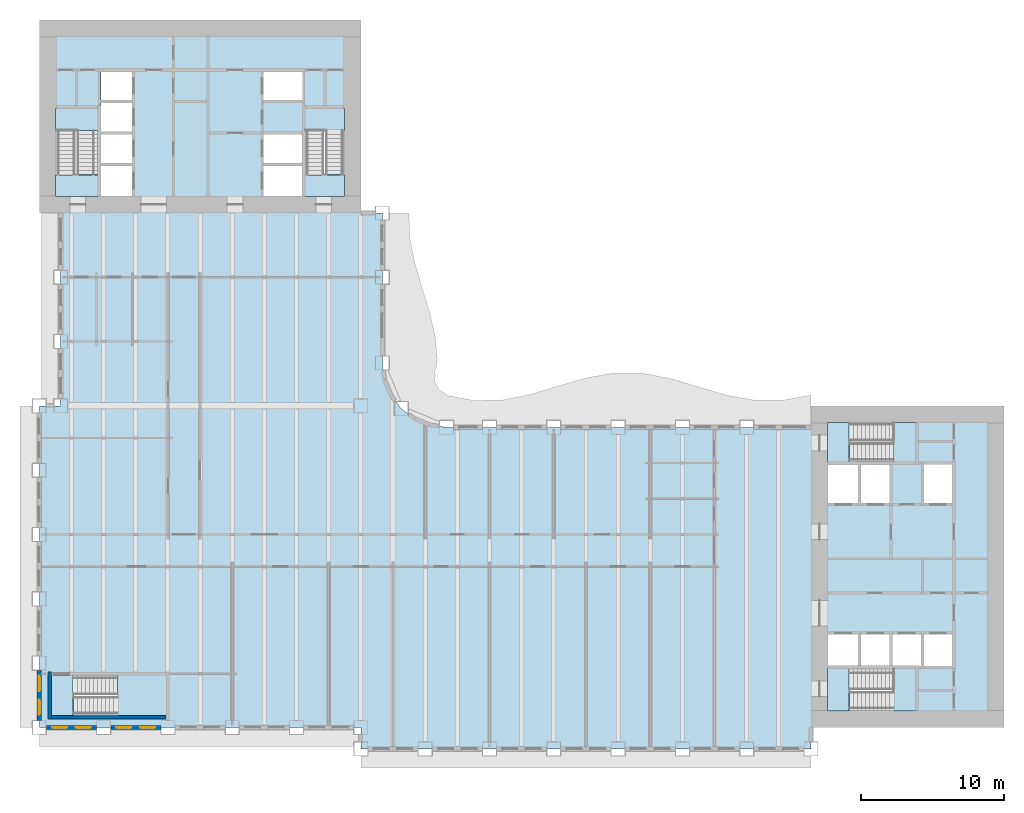
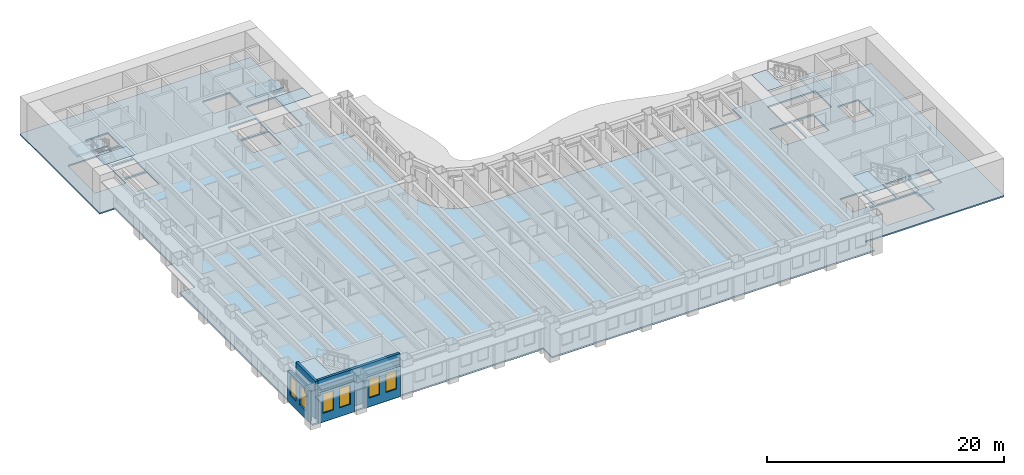
# One storey, part 2 of 16: 11 slabs, 6 windows, 5 walls, 6 openings, 5 elements without a shape of their own.
"""IFC4 building model written with IfcOpenShell, lengths in metres."""

import ifcopenshell
import ifcopenshell.guid

model = None  # the IFC model being written
_history = None  # IfcOwnerHistory: only IFC2X3 demands one
_inside = {}  # id of a spatial element -> (the spatial element, [elements in it])
_under = {}  # id of a project, library or spatial element -> (it, [spatial elements below it])
_declared = {}  # id of a project -> (the project, [libraries it declares])
_typed = {}  # id of a type object -> (the type object, [elements of that type])
_made_of = {}  # id of a material, layer set ... -> (it, [elements and type objects made of it])


def new_model(schema):
    """Start an empty IFC model of exactly this schema.

    Asked for "IFC4X3", IfcOpenShell would pick the latest addendum, in which some entities
    have other attributes; the version numbers below select the first issue.
    IFC2X3 requires an IfcOwnerHistory on every rooted entity: one is made here for all.
    """
    global model, _history
    if schema == "IFC4X3":
        model = ifcopenshell.file(schema_version=(4, 3, 0, 0))
    else:
        model = ifcopenshell.file(schema=schema)
    _inside.clear()
    _under.clear()
    _declared.clear()
    _typed.clear()
    _made_of.clear()
    _history = None
    if model.schema == "IFC2X3":
        org = make("IfcOrganization", Name="unknown")
        user = make(
            "IfcPersonAndOrganization",
            ThePerson=make("IfcPerson", FamilyName="unknown"),
            TheOrganization=org,
        )
        app = make(
            "IfcApplication",
            ApplicationDeveloper=org,
            Version="unknown",
            ApplicationFullName="unknown",
            ApplicationIdentifier="unknown",
        )
        _history = make(
            "IfcOwnerHistory",
            OwningUser=user,
            OwningApplication=app,
            ChangeAction="ADDED",
            CreationDate=0,
        )
    return model


def make(cls, **values):
    """One entity of the class cls with the attributes given. An attribute that is None is left unset."""
    return model.create_entity(
        cls, **{name: value for name, value in values.items() if value is not None}
    )


def rooted(cls, **values):
    """An entity with a GlobalId (a new one), such as an element, a storey or a relation."""
    return make(cls, GlobalId=ifcopenshell.guid.new(), OwnerHistory=_history, **values)


def si_unit(unit_type, name, prefix=None):
    """IfcSIUnit, for example si_unit("LENGTHUNIT", "METRE", prefix="MILLI")."""
    return make("IfcSIUnit", UnitType=unit_type, Prefix=prefix, Name=name)


def assignment(units):
    """IfcUnitAssignment: the units of a project."""
    return None if units is None else make("IfcUnitAssignment", Units=units)


def point(xyz):
    """IfcCartesianPoint."""
    return None if xyz is None else make("IfcCartesianPoint", Coordinates=xyz)


def direction(xyz):
    """IfcDirection."""
    return None if xyz is None else make("IfcDirection", DirectionRatios=xyz)


def frame(location, z_axis=None, x_axis=None):
    """IfcAxis2Placement3D, a coordinate frame: its origin and axes. An axis left out is left unset."""
    return make(
        "IfcAxis2Placement3D",
        Location=point(location),
        Axis=direction(z_axis),
        RefDirection=direction(x_axis),
    )


def frame_2d(location, x_axis=None):
    """IfcAxis2Placement2D, a coordinate frame in the plane: its origin and x axis."""
    return make(
        "IfcAxis2Placement2D", Location=point(location), RefDirection=direction(x_axis)
    )


def origin():
    """The frame at (0, 0, 0) with its axes left unset."""
    return frame((0.0, 0.0, 0.0))


def place(relative_to, where):
    """IfcLocalPlacement: puts the frame where relative to a parent placement (None: the world)."""
    return make(
        "IfcLocalPlacement", PlacementRelTo=relative_to, RelativePlacement=where
    )


def context(
    kind, dimensions, precision=None, world=None, true_north=None, identifier=None
):
    """IfcGeometricRepresentationContext, for example the 3D "Model" context."""
    return make(
        "IfcGeometricRepresentationContext",
        ContextIdentifier=identifier,
        ContextType=kind,
        CoordinateSpaceDimension=dimensions,
        Precision=precision,
        WorldCoordinateSystem=world,
        TrueNorth=true_north,
    )


def subcontext(parent, identifier, kind, view, scale=None):
    """IfcGeometricRepresentationSubContext, for example "Body" below "Model"."""
    return make(
        "IfcGeometricRepresentationSubContext",
        ContextIdentifier=identifier,
        ContextType=kind,
        ParentContext=parent,
        TargetScale=scale,
        TargetView=view,
    )


def project(units=None, contexts=None):
    """IfcProject with its units and contexts."""
    return rooted(
        "IfcProject",
        Name="project",
        RepresentationContexts=contexts,
        UnitsInContext=assignment(units),
    )


def spatial(cls, under=None, at=None, **own):
    """A site, building, storey or space (cls), placed at a placement, below another one or the project."""
    s = rooted(cls, ObjectPlacement=at, **own)
    if under is not None:
        _under.setdefault(under.id(), (under, []))[1].append(s)
    return s


def polyline(points):
    """IfcPolyline through the points."""
    return make("IfcPolyline", Points=[point(p) for p in points])


def profile(cls, at=None, kind="AREA", **sizes):
    """A parametric profile (cls). Its sizes go by their IFC names, for example OverallWidth=200.0."""
    return make(cls, ProfileType=kind, Position=at, **sizes)


def rectangle(**sizes):
    """IfcRectangleProfileDef."""
    return profile("IfcRectangleProfileDef", **sizes)


def outline(outer, holes=None, kind="AREA"):
    """IfcArbitraryClosedProfileDef: a profile drawn as a closed curve; with holes, ...WithVoids."""
    if holes is None:
        return make("IfcArbitraryClosedProfileDef", ProfileType=kind, OuterCurve=outer)
    return make(
        "IfcArbitraryProfileDefWithVoids",
        ProfileType=kind,
        OuterCurve=outer,
        InnerCurves=holes,
    )


def extrude(swept, where, along, depth):
    """IfcExtrudedAreaSolid: the profile swept, set in the frame where, extruded along a direction by depth."""
    return make(
        "IfcExtrudedAreaSolid",
        SweptArea=swept,
        Position=where,
        ExtrudedDirection=direction(along),
        Depth=depth,
    )


def shape(context_of_items, identifier, shape_type, items):
    """IfcShapeRepresentation: the items that make up one representation, for example the "Body"."""
    return make(
        "IfcShapeRepresentation",
        ContextOfItems=context_of_items,
        RepresentationIdentifier=identifier,
        RepresentationType=shape_type,
        Items=items,
    )


def material(Name=None, Category=None):
    """IfcMaterial."""
    return make("IfcMaterial", Name=Name, Category=Category)


def layer(
    of_material, thickness, ventilated=None, Name=None, Category=None, Priority=None
):
    """IfcMaterialLayer: one layer of a wall or slab, of a material (None: an air gap)."""
    return make(
        "IfcMaterialLayer",
        Material=of_material,
        LayerThickness=thickness,
        IsVentilated=ventilated,
        Name=Name,
        Category=Category,
        Priority=Priority,
    )


def layer_set(layers, Name=None):
    """IfcMaterialLayerSet."""
    return make("IfcMaterialLayerSet", MaterialLayers=layers, LayerSetName=Name)


def made_of(thing, what):
    """Note that an element or type object is made of a material, layer set ...; save() writes the relation."""
    if what is not None:
        _made_of.setdefault(what.id(), (what, []))[1].append(thing)
    return thing


def type_object(cls, material=None, **own):
    """A type object (cls), such as IfcWallType, which elements share."""
    return made_of(rooted(cls, **own), material)


def element(
    cls,
    number,
    at=None,
    inside=None,
    cuts=None,
    type_object=None,
    material=None,
    context=None,
    identifier="Body",
    shape_type=None,
    held_by="IfcProductDefinitionShape",
    body=None,
    shapes=None,
    **own,
):
    """One element of the class cls, such as IfcWall. Its Tag is "e" and its number.

    at: its placement. inside: the storey or other place that contains it. cuts: it is an
    opening in that element (IfcRelVoidsElement). A single representation is given by context,
    identifier, shape_type and body (its items); several are given by shapes. held_by: the class
    of the entity that holds the representations. save() writes the other relations.
    """
    e = rooted(cls, Tag="e%d" % number, ObjectPlacement=at, **own)
    if body is not None:
        shapes = [shape(context, identifier, shape_type, body)]
    if shapes is not None:
        e.Representation = make(held_by, Representations=shapes)
    if inside is not None:
        _inside.setdefault(inside.id(), (inside, []))[1].append(e)
    if cuts is not None:
        rooted(
            "IfcRelVoidsElement", RelatingBuildingElement=cuts, RelatedOpeningElement=e
        )
    if type_object is not None:
        _typed.setdefault(type_object.id(), (type_object, []))[1].append(e)
    return made_of(e, material)


def fill(opening, filler):
    """IfcRelFillsElement: the door or window that sits in an opening."""
    return rooted(
        "IfcRelFillsElement",
        RelatingOpeningElement=opening,
        RelatedBuildingElement=filler,
    )


def aggregate(whole, parts):
    """IfcRelAggregates: a whole, such as a stair, and the parts it consists of."""
    return rooted("IfcRelAggregates", RelatingObject=whole, RelatedObjects=parts)


def save(model, path):
    """Write the relations noted so far, then the file.

    IfcRelAggregates (storeys below a building ...), IfcRelContainedInSpatialStructure (elements
    in a storey), IfcRelDefinesByType, IfcRelAssociatesMaterial and IfcRelDeclares: one each for
    every whole, place, type object, material and project.
    """
    for whole, parts in _under.values():
        aggregate(whole, parts)
    for where, things in _inside.values():
        rooted(
            "IfcRelContainedInSpatialStructure",
            RelatedElements=things,
            RelatingStructure=where,
        )
    for kind, things in _typed.values():
        rooted("IfcRelDefinesByType", RelatedObjects=things, RelatingType=kind)
    for what, things in _made_of.values():
        rooted("IfcRelAssociatesMaterial", RelatedObjects=things, RelatingMaterial=what)
    for by, libraries in _declared.values():
        rooted("IfcRelDeclares", RelatingContext=by, RelatedDefinitions=libraries)
    model.write(path)


model = new_model("IFC4")

# Units and contexts
model_context = context("Model", 3, precision=1e-05, world=origin(), true_north=direction((0.0, 1.0)))
body_context = subcontext(model_context, "Body", "Model", "MODEL_VIEW")
ifc_project = project(units=[si_unit("LENGTHUNIT", "METRE"), si_unit("AREAUNIT", "SQUARE_METRE"), si_unit("VOLUMEUNIT", "CUBIC_METRE"), si_unit("PLANEANGLEUNIT", "RADIAN"), si_unit("MASSUNIT", "GRAM", prefix="KILO")], contexts=[model_context])

# Site, building, storey
site_placement = place(None, origin())
site = spatial("IfcSite", under=ifc_project, at=site_placement, CompositionType="ELEMENT")
building_placement = place(site_placement, origin())
building = spatial("IfcBuilding", under=site, at=building_placement, Name="Sennacour Bend Tower", CompositionType="ELEMENT")
storey_placement = place(building_placement, frame((0.0, 0.0, 123.0)))
storey = spatial("IfcBuildingStorey", under=building, at=storey_placement, Name="L28", CompositionType="ELEMENT", Elevation=123.0)

# Slabs
ifc_material_1 = material(Name="Concrete C30/37", Category="concrete")
ifc_layer_1 = layer(ifc_material_1, 0.14990234375, Name="Concrete C30/37", Category="concrete")
ifc_layer_set_1 = layer_set([ifc_layer_1], Name="Concrete C30/37")
slab_type_1 = type_object("IfcSlabType", Name="Floor slab 150", PredefinedType="FLOOR", material=ifc_layer_set_1)
slab_1_placement = place(storey_placement, frame((0.0, 0.0, -0.14990234375)))
element("IfcSlab", 1, at=slab_1_placement, inside=storey, type_object=slab_type_1, Name="Floor slab L28-01", PredefinedType="FLOOR", context=body_context, shape_type="SweptSolid", body=[
    extrude(outline(polyline([(22.5, 0.0), (0.0, 0.0), (0.0, 22.5), (1.5, 22.5), (1.5, 36.0), (0.0, 36.0), (0.0, 49.5), (22.5, 49.5), (22.5, 36.0), (24.0, 36.0), (24.0, 25.5), (24.1533203125, 24.335205078125), (24.602783203125, 23.25), (25.318115234375, 22.318115234375), (26.25, 21.602783203125), (27.335205078125, 21.1533203125), (28.5, 21.0), (54.0, 21.0), (54.0, 22.5), (67.5, 22.5), (67.5, 0.0), (54.0, 0.0), (54.0, -1.5), (22.5, -1.5), (22.5, 0.0)]), holes=[polyline([(8.800048828125, 0.949951171875), (8.800048828125, 3.5), (2.429931640625, 3.5), (2.429931640625, 0.949951171875), (8.800048828125, 0.949951171875)]), polyline([(6.5, 37.199951171875), (6.5, 39.300048828125), (4.300048828125, 39.300048828125), (4.300048828125, 37.199951171875), (6.5, 37.199951171875)]), polyline([(18.39990234375, 37.199951171875), (18.39990234375, 39.300048828125), (15.699951171875, 39.300048828125), (15.699951171875, 37.199951171875), (18.39990234375, 37.199951171875)]), polyline([(6.5, 39.5), (6.5, 41.5), (4.300048828125, 41.5), (4.300048828125, 39.5), (6.5, 39.5)]), polyline([(18.39990234375, 39.5), (18.39990234375, 41.5), (15.699951171875, 41.5), (15.699951171875, 39.5), (18.39990234375, 39.5)]), polyline([(4.125, 38.72998046875), (4.125, 43.39990234375), (1.14990234375, 43.39990234375), (1.14990234375, 38.72998046875), (4.125, 38.72998046875)]), polyline([(21.35009765625, 38.72998046875), (21.35009765625, 43.39990234375), (18.574951171875, 43.39990234375), (18.574951171875, 38.72998046875), (21.35009765625, 38.72998046875)]), polyline([(4.300048828125, 41.699951171875), (6.5, 41.699951171875), (6.5, 43.699951171875), (4.300048828125, 43.699951171875), (4.300048828125, 41.699951171875)]), polyline([(4.300048828125, 43.89990234375), (6.5, 43.89990234375), (6.5, 45.89990234375), (4.300048828125, 45.89990234375), (4.300048828125, 43.89990234375)]), polyline([(18.39990234375, 43.89990234375), (18.39990234375, 45.89990234375), (15.699951171875, 45.89990234375), (15.699951171875, 43.89990234375), (18.39990234375, 43.89990234375)]), polyline([(61.39990234375, 1.14990234375), (61.39990234375, 4.125), (56.72998046875, 4.125), (56.72998046875, 1.14990234375), (61.39990234375, 1.14990234375)]), polyline([(57.300048828125, 4.300048828125), (57.300048828125, 6.5), (55.199951171875, 6.5), (55.199951171875, 4.300048828125), (57.300048828125, 4.300048828125)]), polyline([(57.5, 4.300048828125), (59.5, 4.300048828125), (59.5, 6.5), (57.5, 6.5), (57.5, 4.300048828125)]), polyline([(59.699951171875, 4.300048828125), (61.699951171875, 4.300048828125), (61.699951171875, 6.5), (59.699951171875, 6.5), (59.699951171875, 4.300048828125)]), polyline([(63.89990234375, 4.300048828125), (63.89990234375, 6.5), (61.89990234375, 6.5), (61.89990234375, 4.300048828125), (63.89990234375, 4.300048828125)]), polyline([(57.300048828125, 15.699951171875), (57.300048828125, 18.39990234375), (55.199951171875, 18.39990234375), (55.199951171875, 15.699951171875), (57.300048828125, 15.699951171875)]), polyline([(59.5, 15.699951171875), (59.5, 18.39990234375), (57.5, 18.39990234375), (57.5, 15.699951171875), (59.5, 15.699951171875)]), polyline([(61.89990234375, 15.699951171875), (63.89990234375, 15.699951171875), (63.89990234375, 18.39990234375), (61.89990234375, 18.39990234375), (61.89990234375, 15.699951171875)]), polyline([(56.72998046875, 18.574951171875), (61.39990234375, 18.574951171875), (61.39990234375, 21.35009765625), (56.72998046875, 21.35009765625), (56.72998046875, 18.574951171875)])]), origin(), (0.0, 0.0, 1.0), 0.14990234375),
])
ifc_material_2 = material(Name="Concrete C40/50", Category="concrete")
ifc_layer_2 = layer(ifc_material_2, 0.034912109375, Name="Concrete C40/50", Category="concrete")
ifc_layer_set_2 = layer_set([ifc_layer_2], Name="Concrete C40/50")
slab_type_2 = type_object("IfcSlabType", Name="Stair arrival nib 35", PredefinedType="FLOOR", material=ifc_layer_set_2)
slab_2_placement = place(storey_placement, frame((0.0, 0.0, 3.815185546875)))
element("IfcSlab", 2, at=slab_2_placement, inside=storey, type_object=slab_type_2, Name="L28 SA1 stair arrival nib", PredefinedType="FLOOR", context=body_context, shape_type="SweptSolid", body=[
    extrude(outline(polyline([(56.64208984375, 4.125), (55.14990234375, 4.125), (55.14990234375, 1.14990234375), (56.64208984375, 1.14990234375), (56.64208984375, 4.125)])), origin(), (0.0, 0.0, 1.0), 0.034912109375),
])
slab_3_placement = place(storey_placement, frame((0.0, 0.0, 3.815185546875)))
element("IfcSlab", 3, at=slab_3_placement, inside=storey, type_object=slab_type_2, Name="L28 SA2 stair arrival nib", PredefinedType="FLOOR", context=body_context, shape_type="SweptSolid", body=[
    extrude(outline(polyline([(56.64208984375, 21.35009765625), (55.14990234375, 21.35009765625), (55.14990234375, 18.574951171875), (56.64208984375, 18.574951171875), (56.64208984375, 21.35009765625)])), origin(), (0.0, 0.0, 1.0), 0.034912109375),
])
slab_4_placement = place(storey_placement, frame((0.0, 0.0, 3.815185546875)))
element("IfcSlab", 4, at=slab_4_placement, inside=storey, type_object=slab_type_2, Name="L28 SB1 stair arrival nib", PredefinedType="FLOOR", context=body_context, shape_type="SweptSolid", body=[
    extrude(outline(polyline([(1.14990234375, 38.64208984375), (1.14990234375, 37.14990234375), (4.125, 37.14990234375), (4.125, 38.64208984375), (1.14990234375, 38.64208984375)])), origin(), (0.0, 0.0, 1.0), 0.034912109375),
])
slab_5_placement = place(storey_placement, frame((0.0, 0.0, 3.815185546875)))
element("IfcSlab", 5, at=slab_5_placement, inside=storey, type_object=slab_type_2, Name="L28 SB2 stair arrival nib", PredefinedType="FLOOR", context=body_context, shape_type="SweptSolid", body=[
    extrude(outline(polyline([(18.574951171875, 38.64208984375), (18.574951171875, 37.14990234375), (21.35009765625, 37.14990234375), (21.35009765625, 38.64208984375), (18.574951171875, 38.64208984375)])), origin(), (0.0, 0.0, 1.0), 0.034912109375),
])
slab_6_placement = place(storey_placement, frame((0.0, 0.0, 3.815185546875)))
element("IfcSlab", 6, at=slab_6_placement, inside=storey, type_object=slab_type_2, Name="L28 SK1 stair arrival nib", PredefinedType="FLOOR", context=body_context, shape_type="SweptSolid", body=[
    extrude(outline(polyline([(2.342041015625, 3.675048828125), (0.800048828125, 3.675048828125), (0.800048828125, 0.800048828125), (2.342041015625, 0.800048828125), (2.342041015625, 3.675048828125)])), origin(), (0.0, 0.0, 1.0), 0.034912109375),
])

# Stair, slab
stair_type = type_object("IfcStairType", Name="ST-DOGLEG", PredefinedType="HALF_TURN_STAIR", material=ifc_material_2)
stair_1_placement = place(storey_placement, origin())
stair_1 = element("IfcStair", 7, at=stair_1_placement, inside=storey, type_object=stair_type, Name="L28 Exit stair A1", PredefinedType="HALF_TURN_STAIR")
ifc_layer_3 = layer(ifc_material_2, 0.199951171875, Name="Concrete C40/50", Category="concrete")
ifc_layer_set_3 = layer_set([ifc_layer_3], Name="Concrete C40/50")
slab_type_3 = type_object("IfcSlabType", Name="Stair landing 200", PredefinedType="LANDING", material=ifc_layer_set_3)
slab_7_placement = place(storey_placement, frame((0.0, 0.0, 1.800048828125)))
slab_7 = element("IfcSlab", 8, at=slab_7_placement, type_object=slab_type_3, Name="SA1 landing 1", PredefinedType="LANDING", context=body_context, shape_type="SweptSolid", body=[
    extrude(outline(polyline([(59.780029296875, 1.14990234375), (61.324951171875, 1.14990234375), (61.324951171875, 4.125), (59.780029296875, 4.125), (59.780029296875, 1.14990234375)])), origin(), (0.0, 0.0, 1.0), 0.199951171875),
])
aggregate(stair_1, [slab_7])

stair_2_placement = place(storey_placement, origin())
stair_2 = element("IfcStair", 9, at=stair_2_placement, inside=storey, type_object=stair_type, Name="L28 Exit stair A2", PredefinedType="HALF_TURN_STAIR")
slab_8_placement = place(storey_placement, frame((0.0, 0.0, 1.800048828125)))
slab_8 = element("IfcSlab", 10, at=slab_8_placement, type_object=slab_type_3, Name="SA2 landing 1", PredefinedType="LANDING", context=body_context, shape_type="SweptSolid", body=[
    extrude(outline(polyline([(59.780029296875, 18.574951171875), (61.324951171875, 18.574951171875), (61.324951171875, 21.35009765625), (59.780029296875, 21.35009765625), (59.780029296875, 18.574951171875)])), origin(), (0.0, 0.0, 1.0), 0.199951171875),
])
aggregate(stair_2, [slab_8])

stair_3_placement = place(storey_placement, origin())
stair_3 = element("IfcStair", 11, at=stair_3_placement, inside=storey, type_object=stair_type, Name="L28 Exit stair B1", PredefinedType="HALF_TURN_STAIR")
slab_9_placement = place(storey_placement, frame((0.0, 0.0, 1.800048828125)))
slab_9 = element("IfcSlab", 12, at=slab_9_placement, type_object=slab_type_3, Name="SB1 landing 1", PredefinedType="LANDING", context=body_context, shape_type="SweptSolid", body=[
    extrude(outline(polyline([(1.14990234375, 41.780029296875), (4.125, 41.780029296875), (4.125, 43.324951171875), (1.14990234375, 43.324951171875), (1.14990234375, 41.780029296875)])), origin(), (0.0, 0.0, 1.0), 0.199951171875),
])
aggregate(stair_3, [slab_9])

stair_4_placement = place(storey_placement, origin())
stair_4 = element("IfcStair", 13, at=stair_4_placement, inside=storey, type_object=stair_type, Name="L28 Exit stair B2", PredefinedType="HALF_TURN_STAIR")
slab_10_placement = place(storey_placement, frame((0.0, 0.0, 1.800048828125)))
slab_10 = element("IfcSlab", 14, at=slab_10_placement, type_object=slab_type_3, Name="SB2 landing 1", PredefinedType="LANDING", context=body_context, shape_type="SweptSolid", body=[
    extrude(outline(polyline([(18.574951171875, 41.780029296875), (21.35009765625, 41.780029296875), (21.35009765625, 43.324951171875), (18.574951171875, 43.324951171875), (18.574951171875, 41.780029296875)])), origin(), (0.0, 0.0, 1.0), 0.199951171875),
])
aggregate(stair_4, [slab_10])

stair_5_placement = place(storey_placement, origin())
stair_5 = element("IfcStair", 15, at=stair_5_placement, inside=storey, type_object=stair_type, Name="L28 Exit stair K1", PredefinedType="HALF_TURN_STAIR")
slab_11_placement = place(storey_placement, frame((0.0, 0.0, 1.800048828125)))
slab_11 = element("IfcSlab", 16, at=slab_11_placement, type_object=slab_type_3, Name="SK1 landing 1", PredefinedType="LANDING", context=body_context, shape_type="SweptSolid", body=[
    extrude(outline(polyline([(5.47998046875, 0.800048828125), (8.925048828125, 0.800048828125), (8.925048828125, 3.675048828125), (5.47998046875, 3.675048828125), (5.47998046875, 0.800048828125)])), origin(), (0.0, 0.0, 1.0), 0.199951171875),
])
aggregate(stair_5, [slab_11])

# Wall, openings, windows
ifc_material_3 = material(Name="Warm limestone cladding", Category="masonry")
ifc_layer_4 = layer(ifc_material_3, 0.050048828125, Name="Warm limestone cladding", Category="masonry")
ifc_material_4 = material(Name="Precast concrete C40/50", Category="concrete")
ifc_layer_5 = layer(ifc_material_4, 0.25, Name="Precast concrete C40/50", Category="concrete")
ifc_layer_set_4 = layer_set([ifc_layer_4, ifc_layer_5], Name="Precast concrete C40/50 with limestone cladding")
wall_type_1 = type_object("IfcWallType", Name="STONE-CLAD PRECAST SPANDREL 300", PredefinedType="STANDARD", material=ifc_layer_set_4)
wall_1_placement = place(storey_placement, frame((0.0, 4.0, 0.0), z_axis=(0.0, 0.0, 1.0), x_axis=(0.0, -1.0, 0.0)))
wall_1 = element("IfcWall", 17, at=wall_1_placement, inside=storey, type_object=wall_type_1, Name="Stone spandrel and pier wall L28 21.04", PredefinedType="STANDARD", context=body_context, shape_type="SweptSolid", body=[
    extrude(rectangle(XDim=3.5, YDim=0.300048828125, at=frame_2d((1.75, 0.0))), origin(), (0.0, 0.0, 1.0), 3.154052734375),
])
opening_1_placement = place(wall_1_placement, frame((0.39990234375, 0.0, 0.89990234375)))
opening_1 = element("IfcOpeningElement", 18, at=opening_1_placement, cuts=wall_1, Name="Opening W13", PredefinedType="OPENING", context=body_context, shape_type="SweptSolid", body=[
    extrude(rectangle(XDim=1.050048828125, YDim=2.0, at=frame_2d((0.52490234375, 1.0))), frame((0.0, 0.16015625, 0.0), z_axis=(0.0, -1.0, 0.0), x_axis=(1.0, 0.0, 0.0)), (0.0, 0.0, 1.0), 0.320068359375),
])
opening_2_placement = place(wall_1_placement, frame((2.050048828125, 0.0, 0.89990234375)))
opening_2 = element("IfcOpeningElement", 19, at=opening_2_placement, cuts=wall_1, Name="Opening W13", PredefinedType="OPENING", context=body_context, shape_type="SweptSolid", body=[
    extrude(rectangle(XDim=1.050048828125, YDim=2.0, at=frame_2d((0.52490234375, 1.0))), frame((0.0, 0.16015625, 0.0), z_axis=(0.0, -1.0, 0.0), x_axis=(1.0, 0.0, 0.0)), (0.0, 0.0, 1.0), 0.320068359375),
])
ifc_material_5 = material(Name="Clear low-emissivity glass", Category="glass")
window_type = type_object("IfcWindowType", Name="WIN-RIBBON-1050x2000", PartitioningType="SINGLE_PANEL", PredefinedType="WINDOW", material=ifc_material_5)
window_1_placement = place(opening_1_placement, origin())
window_1 = element("IfcWindow", 20, at=window_1_placement, inside=storey, type_object=window_type, Name="Ribbon window L28 21.04.0", OverallHeight=2.0, OverallWidth=1.050048828125, PartitioningType="SINGLE_PANEL", PredefinedType="WINDOW", context=body_context, shape_type="SweptSolid", body=[
    extrude(rectangle(XDim=1.050048828125, YDim=2.0, at=frame_2d((0.52490234375, 1.0))), frame((0.0, 0.030029296875, 0.0), z_axis=(0.0, -1.0, 0.0), x_axis=(1.0, 0.0, 0.0)), (0.0, 0.0, 1.0), 0.06005859375),
])
fill(opening_1, window_1)
window_2_placement = place(opening_2_placement, origin())
window_2 = element("IfcWindow", 21, at=window_2_placement, inside=storey, type_object=window_type, Name="Ribbon window L28 21.04.1", OverallHeight=2.0, OverallWidth=1.050048828125, PartitioningType="SINGLE_PANEL", PredefinedType="WINDOW", context=body_context, shape_type="SweptSolid", body=[
    extrude(rectangle(XDim=1.050048828125, YDim=2.0, at=frame_2d((0.52490234375, 1.0))), frame((0.0, 0.030029296875, 0.0), z_axis=(0.0, -1.0, 0.0), x_axis=(1.0, 0.0, 0.0)), (0.0, 0.0, 1.0), 0.06005859375),
])
fill(opening_2, window_2)

wall_2_placement = place(storey_placement, frame((0.5, 0.0, 0.0), z_axis=(0.0, 0.0, 1.0), x_axis=(1.0, 0.0, 0.0)))
wall_2 = element("IfcWall", 22, at=wall_2_placement, inside=storey, type_object=wall_type_1, Name="Stone spandrel and pier wall L28 22.00", PredefinedType="STANDARD", context=body_context, shape_type="SweptSolid", body=[
    extrude(rectangle(XDim=3.5, YDim=0.300048828125, at=frame_2d((1.75, 0.0))), origin(), (0.0, 0.0, 1.0), 3.154052734375),
])
opening_3_placement = place(wall_2_placement, frame((0.39990234375, 0.0, 0.89990234375)))
opening_3 = element("IfcOpeningElement", 23, at=opening_3_placement, cuts=wall_2, Name="Opening W13", PredefinedType="OPENING", context=body_context, shape_type="SweptSolid", body=[
    extrude(rectangle(XDim=1.050048828125, YDim=2.0, at=frame_2d((0.52490234375, 1.0))), frame((0.0, 0.16015625, 0.0), z_axis=(0.0, -1.0, 0.0), x_axis=(1.0, 0.0, 0.0)), (0.0, 0.0, 1.0), 0.320068359375),
])
opening_4_placement = place(wall_2_placement, frame((2.050048828125, 0.0, 0.89990234375)))
opening_4 = element("IfcOpeningElement", 24, at=opening_4_placement, cuts=wall_2, Name="Opening W13", PredefinedType="OPENING", context=body_context, shape_type="SweptSolid", body=[
    extrude(rectangle(XDim=1.050048828125, YDim=2.0, at=frame_2d((0.52490234375, 1.0))), frame((0.0, 0.16015625, 0.0), z_axis=(0.0, -1.0, 0.0), x_axis=(1.0, 0.0, 0.0)), (0.0, 0.0, 1.0), 0.320068359375),
])
window_3_placement = place(opening_3_placement, origin())
window_3 = element("IfcWindow", 25, at=window_3_placement, inside=storey, type_object=window_type, Name="Ribbon window L28 22.00.0", OverallHeight=2.0, OverallWidth=1.050048828125, PartitioningType="SINGLE_PANEL", PredefinedType="WINDOW", context=body_context, shape_type="SweptSolid", body=[
    extrude(rectangle(XDim=1.050048828125, YDim=2.0, at=frame_2d((0.52490234375, 1.0))), frame((0.0, 0.030029296875, 0.0), z_axis=(0.0, -1.0, 0.0), x_axis=(1.0, 0.0, 0.0)), (0.0, 0.0, 1.0), 0.06005859375),
])
fill(opening_3, window_3)
window_4_placement = place(opening_4_placement, origin())
window_4 = element("IfcWindow", 26, at=window_4_placement, inside=storey, type_object=window_type, Name="Ribbon window L28 22.00.1", OverallHeight=2.0, OverallWidth=1.050048828125, PartitioningType="SINGLE_PANEL", PredefinedType="WINDOW", context=body_context, shape_type="SweptSolid", body=[
    extrude(rectangle(XDim=1.050048828125, YDim=2.0, at=frame_2d((0.52490234375, 1.0))), frame((0.0, 0.030029296875, 0.0), z_axis=(0.0, -1.0, 0.0), x_axis=(1.0, 0.0, 0.0)), (0.0, 0.0, 1.0), 0.06005859375),
])
fill(opening_4, window_4)

wall_3_placement = place(storey_placement, frame((5.0, 0.0, 0.0), z_axis=(0.0, 0.0, 1.0), x_axis=(1.0, 0.0, 0.0)))
wall_3 = element("IfcWall", 27, at=wall_3_placement, inside=storey, type_object=wall_type_1, Name="Stone spandrel and pier wall L28 22.01", PredefinedType="STANDARD", context=body_context, shape_type="SweptSolid", body=[
    extrude(rectangle(XDim=3.5, YDim=0.300048828125, at=frame_2d((1.75, 0.0))), origin(), (0.0, 0.0, 1.0), 3.154052734375),
])
opening_5_placement = place(wall_3_placement, frame((0.39990234375, 0.0, 0.89990234375)))
opening_5 = element("IfcOpeningElement", 28, at=opening_5_placement, cuts=wall_3, Name="Opening W13", PredefinedType="OPENING", context=body_context, shape_type="SweptSolid", body=[
    extrude(rectangle(XDim=1.050048828125, YDim=2.0, at=frame_2d((0.52490234375, 1.0))), frame((0.0, 0.16015625, 0.0), z_axis=(0.0, -1.0, 0.0), x_axis=(1.0, 0.0, 0.0)), (0.0, 0.0, 1.0), 0.320068359375),
])
opening_6_placement = place(wall_3_placement, frame((2.050048828125, 0.0, 0.89990234375)))
opening_6 = element("IfcOpeningElement", 29, at=opening_6_placement, cuts=wall_3, Name="Opening W13", PredefinedType="OPENING", context=body_context, shape_type="SweptSolid", body=[
    extrude(rectangle(XDim=1.050048828125, YDim=2.0, at=frame_2d((0.52490234375, 1.0))), frame((0.0, 0.16015625, 0.0), z_axis=(0.0, -1.0, 0.0), x_axis=(1.0, 0.0, 0.0)), (0.0, 0.0, 1.0), 0.320068359375),
])
window_5_placement = place(opening_5_placement, origin())
window_5 = element("IfcWindow", 30, at=window_5_placement, inside=storey, type_object=window_type, Name="Ribbon window L28 22.01.0", OverallHeight=2.0, OverallWidth=1.050048828125, PartitioningType="SINGLE_PANEL", PredefinedType="WINDOW", context=body_context, shape_type="SweptSolid", body=[
    extrude(rectangle(XDim=1.050048828125, YDim=2.0, at=frame_2d((0.52490234375, 1.0))), frame((0.0, 0.030029296875, 0.0), z_axis=(0.0, -1.0, 0.0), x_axis=(1.0, 0.0, 0.0)), (0.0, 0.0, 1.0), 0.06005859375),
])
fill(opening_5, window_5)
window_6_placement = place(opening_6_placement, origin())
window_6 = element("IfcWindow", 31, at=window_6_placement, inside=storey, type_object=window_type, Name="Ribbon window L28 22.01.1", OverallHeight=2.0, OverallWidth=1.050048828125, PartitioningType="SINGLE_PANEL", PredefinedType="WINDOW", context=body_context, shape_type="SweptSolid", body=[
    extrude(rectangle(XDim=1.050048828125, YDim=2.0, at=frame_2d((0.52490234375, 1.0))), frame((0.0, 0.030029296875, 0.0), z_axis=(0.0, -1.0, 0.0), x_axis=(1.0, 0.0, 0.0)), (0.0, 0.0, 1.0), 0.06005859375),
])
fill(opening_6, window_6)

# Walls
ifc_material_6 = material(Name="Concrete C60/75", Category="concrete")
ifc_layer_6 = layer(ifc_material_6, 0.25, Name="Concrete C60/75", Category="concrete")
ifc_layer_set_5 = layer_set([ifc_layer_6], Name="Concrete C60/75")
wall_type_2 = type_object("IfcWallType", Name="Stair wall 250", PredefinedType="SHEAR", material=ifc_layer_set_5)
wall_4_placement = place(storey_placement, frame((0.72509765625, 0.60009765625, 0.0), z_axis=(0.0, 0.0, 1.0), x_axis=(0.0, 1.0, 0.0)))
element("IfcWall", 32, at=wall_4_placement, inside=storey, type_object=wall_type_2, Name="P-L28-W002", PredefinedType="SHEAR", context=body_context, shape_type="SweptSolid", body=[
    extrude(rectangle(XDim=3.27490234375, YDim=0.25, at=frame_2d((1.637451171875, 0.0))), origin(), (0.0, 0.0, 1.0), 3.85009765625),
])
wall_5_placement = place(storey_placement, frame((0.85009765625, 0.72509765625, 0.0), z_axis=(0.0, 0.0, 1.0), x_axis=(1.0, 0.0, 0.0)))
element("IfcWall", 33, at=wall_5_placement, inside=storey, type_object=wall_type_2, Name="P-L28-W049", PredefinedType="SHEAR", context=body_context, shape_type="SweptSolid", body=[
    extrude(rectangle(XDim=8.02490234375, YDim=0.25, at=frame_2d((4.012451171875, 0.0))), origin(), (0.0, 0.0, 1.0), 3.85009765625),
])

save(model, "model.ifc")
